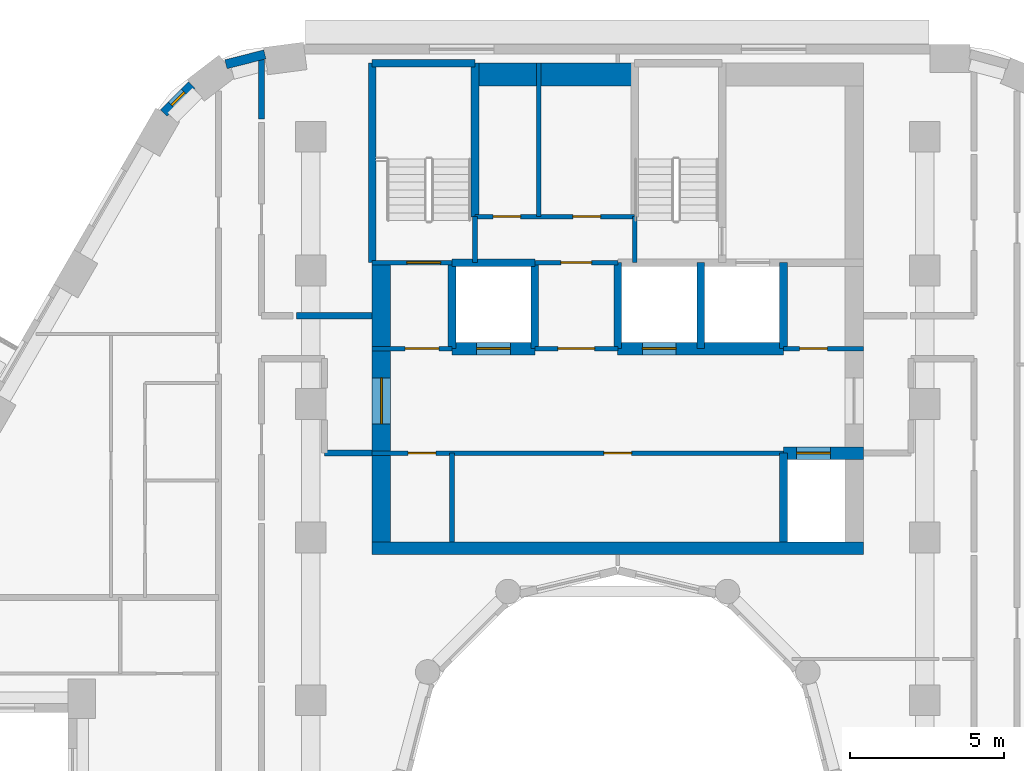
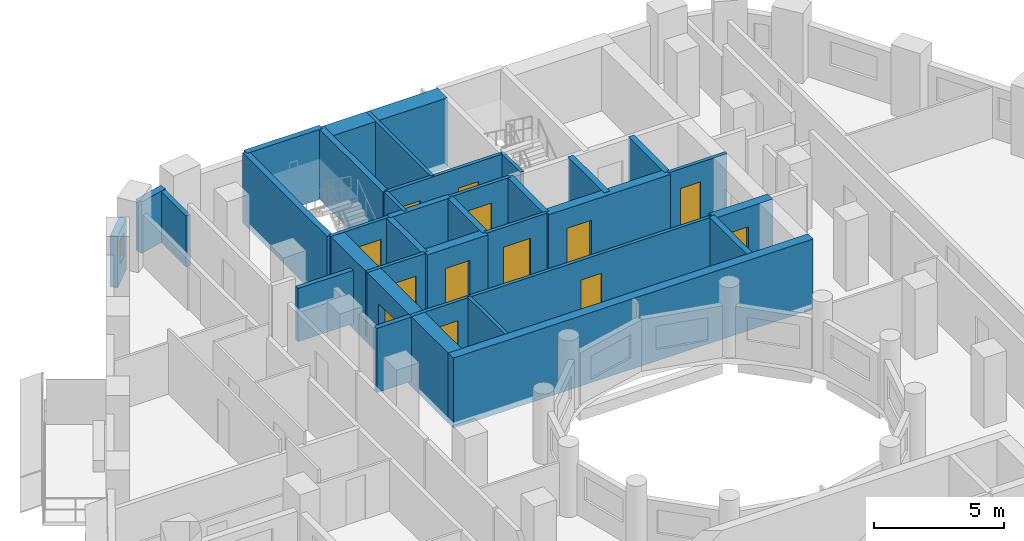
# One storey, part 7 of 13: 32 walls, 13 doors, 1 window, 14 openings.
"""IFC4 building model written with IfcOpenShell, lengths in metres."""

import ifcopenshell
import ifcopenshell.guid

model = None  # the IFC model being written
_history = None  # IfcOwnerHistory: only IFC2X3 demands one
_inside = {}  # id of a spatial element -> (the spatial element, [elements in it])
_under = {}  # id of a project, library or spatial element -> (it, [spatial elements below it])
_declared = {}  # id of a project -> (the project, [libraries it declares])
_typed = {}  # id of a type object -> (the type object, [elements of that type])
_made_of = {}  # id of a material, layer set ... -> (it, [elements and type objects made of it])


def new_model(schema):
    """Start an empty IFC model of exactly this schema.

    Asked for "IFC4X3", IfcOpenShell would pick the latest addendum, in which some entities
    have other attributes; the version numbers below select the first issue.
    IFC2X3 requires an IfcOwnerHistory on every rooted entity: one is made here for all.
    """
    global model, _history
    if schema == "IFC4X3":
        model = ifcopenshell.file(schema_version=(4, 3, 0, 0))
    else:
        model = ifcopenshell.file(schema=schema)
    _inside.clear()
    _under.clear()
    _declared.clear()
    _typed.clear()
    _made_of.clear()
    _history = None
    if model.schema == "IFC2X3":
        org = make("IfcOrganization", Name="unknown")
        user = make(
            "IfcPersonAndOrganization",
            ThePerson=make("IfcPerson", FamilyName="unknown"),
            TheOrganization=org,
        )
        app = make(
            "IfcApplication",
            ApplicationDeveloper=org,
            Version="unknown",
            ApplicationFullName="unknown",
            ApplicationIdentifier="unknown",
        )
        _history = make(
            "IfcOwnerHistory",
            OwningUser=user,
            OwningApplication=app,
            ChangeAction="ADDED",
            CreationDate=0,
        )
    return model


def make(cls, **values):
    """One entity of the class cls with the attributes given. An attribute that is None is left unset."""
    return model.create_entity(
        cls, **{name: value for name, value in values.items() if value is not None}
    )


def rooted(cls, **values):
    """An entity with a GlobalId (a new one), such as an element, a storey or a relation."""
    return make(cls, GlobalId=ifcopenshell.guid.new(), OwnerHistory=_history, **values)


def si_unit(unit_type, name, prefix=None):
    """IfcSIUnit, for example si_unit("LENGTHUNIT", "METRE", prefix="MILLI")."""
    return make("IfcSIUnit", UnitType=unit_type, Prefix=prefix, Name=name)


def assignment(units):
    """IfcUnitAssignment: the units of a project."""
    return None if units is None else make("IfcUnitAssignment", Units=units)


def point(xyz):
    """IfcCartesianPoint."""
    return None if xyz is None else make("IfcCartesianPoint", Coordinates=xyz)


def direction(xyz):
    """IfcDirection."""
    return None if xyz is None else make("IfcDirection", DirectionRatios=xyz)


def frame(location, z_axis=None, x_axis=None):
    """IfcAxis2Placement3D, a coordinate frame: its origin and axes. An axis left out is left unset."""
    return make(
        "IfcAxis2Placement3D",
        Location=point(location),
        Axis=direction(z_axis),
        RefDirection=direction(x_axis),
    )


def frame_2d(location, x_axis=None):
    """IfcAxis2Placement2D, a coordinate frame in the plane: its origin and x axis."""
    return make(
        "IfcAxis2Placement2D", Location=point(location), RefDirection=direction(x_axis)
    )


def origin():
    """The frame at (0, 0, 0) with its axes left unset."""
    return frame((0.0, 0.0, 0.0))


def place(relative_to, where):
    """IfcLocalPlacement: puts the frame where relative to a parent placement (None: the world)."""
    return make(
        "IfcLocalPlacement", PlacementRelTo=relative_to, RelativePlacement=where
    )


def context(
    kind, dimensions, precision=None, world=None, true_north=None, identifier=None
):
    """IfcGeometricRepresentationContext, for example the 3D "Model" context."""
    return make(
        "IfcGeometricRepresentationContext",
        ContextIdentifier=identifier,
        ContextType=kind,
        CoordinateSpaceDimension=dimensions,
        Precision=precision,
        WorldCoordinateSystem=world,
        TrueNorth=true_north,
    )


def subcontext(parent, identifier, kind, view, scale=None):
    """IfcGeometricRepresentationSubContext, for example "Body" below "Model"."""
    return make(
        "IfcGeometricRepresentationSubContext",
        ContextIdentifier=identifier,
        ContextType=kind,
        ParentContext=parent,
        TargetScale=scale,
        TargetView=view,
    )


def project(units=None, contexts=None):
    """IfcProject with its units and contexts."""
    return rooted(
        "IfcProject",
        Name="project",
        RepresentationContexts=contexts,
        UnitsInContext=assignment(units),
    )


def spatial(cls, under=None, at=None, **own):
    """A site, building, storey or space (cls), placed at a placement, below another one or the project."""
    s = rooted(cls, ObjectPlacement=at, **own)
    if under is not None:
        _under.setdefault(under.id(), (under, []))[1].append(s)
    return s


def profile(cls, at=None, kind="AREA", **sizes):
    """A parametric profile (cls). Its sizes go by their IFC names, for example OverallWidth=200.0."""
    return make(cls, ProfileType=kind, Position=at, **sizes)


def rectangle(**sizes):
    """IfcRectangleProfileDef."""
    return profile("IfcRectangleProfileDef", **sizes)


def extrude(swept, where, along, depth):
    """IfcExtrudedAreaSolid: the profile swept, set in the frame where, extruded along a direction by depth."""
    return make(
        "IfcExtrudedAreaSolid",
        SweptArea=swept,
        Position=where,
        ExtrudedDirection=direction(along),
        Depth=depth,
    )


def shape(context_of_items, identifier, shape_type, items):
    """IfcShapeRepresentation: the items that make up one representation, for example the "Body"."""
    return make(
        "IfcShapeRepresentation",
        ContextOfItems=context_of_items,
        RepresentationIdentifier=identifier,
        RepresentationType=shape_type,
        Items=items,
    )


def material(Name=None, Category=None):
    """IfcMaterial."""
    return make("IfcMaterial", Name=Name, Category=Category)


def layer(
    of_material, thickness, ventilated=None, Name=None, Category=None, Priority=None
):
    """IfcMaterialLayer: one layer of a wall or slab, of a material (None: an air gap)."""
    return make(
        "IfcMaterialLayer",
        Material=of_material,
        LayerThickness=thickness,
        IsVentilated=ventilated,
        Name=Name,
        Category=Category,
        Priority=Priority,
    )


def layer_set(layers, Name=None):
    """IfcMaterialLayerSet."""
    return make("IfcMaterialLayerSet", MaterialLayers=layers, LayerSetName=Name)


def made_of(thing, what):
    """Note that an element or type object is made of a material, layer set ...; save() writes the relation."""
    if what is not None:
        _made_of.setdefault(what.id(), (what, []))[1].append(thing)
    return thing


def type_object(cls, material=None, **own):
    """A type object (cls), such as IfcWallType, which elements share."""
    return made_of(rooted(cls, **own), material)


def element(
    cls,
    number,
    at=None,
    inside=None,
    cuts=None,
    type_object=None,
    material=None,
    context=None,
    identifier="Body",
    shape_type=None,
    held_by="IfcProductDefinitionShape",
    body=None,
    shapes=None,
    **own,
):
    """One element of the class cls, such as IfcWall. Its Tag is "e" and its number.

    at: its placement. inside: the storey or other place that contains it. cuts: it is an
    opening in that element (IfcRelVoidsElement). A single representation is given by context,
    identifier, shape_type and body (its items); several are given by shapes. held_by: the class
    of the entity that holds the representations. save() writes the other relations.
    """
    e = rooted(cls, Tag="e%d" % number, ObjectPlacement=at, **own)
    if body is not None:
        shapes = [shape(context, identifier, shape_type, body)]
    if shapes is not None:
        e.Representation = make(held_by, Representations=shapes)
    if inside is not None:
        _inside.setdefault(inside.id(), (inside, []))[1].append(e)
    if cuts is not None:
        rooted(
            "IfcRelVoidsElement", RelatingBuildingElement=cuts, RelatedOpeningElement=e
        )
    if type_object is not None:
        _typed.setdefault(type_object.id(), (type_object, []))[1].append(e)
    return made_of(e, material)


def fill(opening, filler):
    """IfcRelFillsElement: the door or window that sits in an opening."""
    return rooted(
        "IfcRelFillsElement",
        RelatingOpeningElement=opening,
        RelatedBuildingElement=filler,
    )


def aggregate(whole, parts):
    """IfcRelAggregates: a whole, such as a stair, and the parts it consists of."""
    return rooted("IfcRelAggregates", RelatingObject=whole, RelatedObjects=parts)


def save(model, path):
    """Write the relations noted so far, then the file.

    IfcRelAggregates (storeys below a building ...), IfcRelContainedInSpatialStructure (elements
    in a storey), IfcRelDefinesByType, IfcRelAssociatesMaterial and IfcRelDeclares: one each for
    every whole, place, type object, material and project.
    """
    for whole, parts in _under.values():
        aggregate(whole, parts)
    for where, things in _inside.values():
        rooted(
            "IfcRelContainedInSpatialStructure",
            RelatedElements=things,
            RelatingStructure=where,
        )
    for kind, things in _typed.values():
        rooted("IfcRelDefinesByType", RelatedObjects=things, RelatingType=kind)
    for what, things in _made_of.values():
        rooted("IfcRelAssociatesMaterial", RelatedObjects=things, RelatingMaterial=what)
    for by, libraries in _declared.values():
        rooted("IfcRelDeclares", RelatingContext=by, RelatedDefinitions=libraries)
    model.write(path)


model = new_model("IFC4")

# Units and contexts
model_context = context("Model", 3, precision=1e-05, world=origin(), true_north=direction((0.0, 1.0)))
body_context = subcontext(model_context, "Body", "Model", "MODEL_VIEW")
ifc_project = project(units=[si_unit("LENGTHUNIT", "METRE"), si_unit("AREAUNIT", "SQUARE_METRE"), si_unit("VOLUMEUNIT", "CUBIC_METRE"), si_unit("PLANEANGLEUNIT", "RADIAN"), si_unit("MASSUNIT", "GRAM", prefix="KILO")], contexts=[model_context])

# Site, building, storey
site_placement = place(None, origin())
site = spatial("IfcSite", under=ifc_project, at=site_placement, CompositionType="ELEMENT")
building_placement = place(site_placement, origin())
building = spatial("IfcBuilding", under=site, at=building_placement, Name="Nakaniwa Court", CompositionType="ELEMENT")
storey_placement = place(building_placement, frame((0.0, 0.0, 130.5)))
storey = spatial("IfcBuildingStorey", under=building, at=storey_placement, Name="L33", CompositionType="ELEMENT", Elevation=130.5)

# Walls
ifc_material_1 = material(Name="Acoustic double stud partition")
ifc_layer_1 = layer(ifc_material_1, 0.199951171875)
ifc_layer_set_1 = layer_set([ifc_layer_1], Name="Acoustic double stud partition")
wall_type_1 = type_object("IfcWallType", Name="Acoustic double stud partition 200", PredefinedType="PARTITIONING", material=ifc_layer_set_1)
wall_1_placement = place(storey_placement, frame((70.449951171875, 90.699951171875, 0.0), z_axis=(0.0, 0.0, 1.0), x_axis=(1.0, 0.0, 0.0)))
element("IfcWall", 1, at=wall_1_placement, inside=storey, type_object=wall_type_1, Name="Partition PW-088", PredefinedType="PARTITIONING", context=body_context, shape_type="SweptSolid", body=[
    extrude(rectangle(XDim=1.550048828125, YDim=0.199951171875, at=frame_2d((0.77490234375, 0.0))), origin(), (0.0, 0.0, 1.0), 3.02490234375),
])
wall_2_placement = place(storey_placement, frame((69.537109375, 95.175048828125, 0.0), z_axis=(0.0, 0.0, 1.0), x_axis=(1.0, 0.0, 0.0)))
element("IfcWall", 2, at=wall_2_placement, inside=storey, type_object=wall_type_1, Name="Partition PW-091", PredefinedType="PARTITIONING", context=body_context, shape_type="SweptSolid", body=[
    extrude(rectangle(XDim=2.462890625, YDim=0.199951171875, at=frame_2d((1.2314453125, 0.0))), origin(), (0.0, 0.0, 1.0), 2.5048828125),
])
wall_3_placement = place(storey_placement, frame((68.39990234375, 101.5771484375, 0.0), z_axis=(0.0, 0.0, 1.0), x_axis=(0.0, 1.0, 0.0)))
element("IfcWall", 3, at=wall_3_placement, inside=storey, type_object=wall_type_1, Name="Partition PW-102", PredefinedType="PARTITIONING", context=body_context, shape_type="SweptSolid", body=[
    extrude(rectangle(XDim=2.02197265625, YDim=0.199951171875, at=frame_2d((1.010986328125, 0.0))), origin(), (0.0, 0.0, 1.0), 2.405029296875),
])
ifc_material_2 = material(Name="Charcoal ceramic cladding")
ifc_layer_2 = layer(ifc_material_2, 0.02, Name="Ceramic cladding")
ifc_material_3 = material(Name="Ventilated air cavity")
ifc_layer_3 = layer(ifc_material_3, 0.04, ventilated=True, Name="Ventilated cavity")
ifc_material_4 = material(Name="Mineral wool insulation")
ifc_layer_4 = layer(ifc_material_4, 0.1, Name="Insulation")
ifc_material_5 = material(Name="Cement bonded sheathing board")
ifc_layer_5 = layer(ifc_material_5, 0.012, Name="Sheathing")
ifc_material_6 = material(Name="Cold-formed galvanised stud frame with mineral wool infill")
ifc_layer_6 = layer(ifc_material_6, 0.1, Name="Stud frame")
ifc_material_7 = material(Name="Fire-rated gypsum plasterboard lining")
ifc_layer_7 = layer(ifc_material_7, 0.028, Name="Lining")
ifc_layer_set_2 = layer_set([ifc_layer_2, ifc_layer_3, ifc_layer_4, ifc_layer_5, ifc_layer_6, ifc_layer_7], Name="Charcoal ceramic faced external wall system")
wall_type_2 = type_object("IfcWallType", Name="Black ceramic faced external wall 300", PredefinedType="SOLIDWALL", material=ifc_layer_set_2)
wall_4_placement = place(storey_placement, frame((68.506103515625, 103.68310546875, 0.0), z_axis=(0.0, 0.0, 1.0), x_axis=(-0.96924493129, -0.246098076322, 0.0)))
element("IfcWall", 4, at=wall_4_placement, inside=storey, type_object=wall_type_2, Name="L33 external wall 09", PredefinedType="SOLIDWALL", context=body_context, shape_type="SweptSolid", body=[
    extrude(rectangle(XDim=1.305419921875, YDim=0.300048828125, at=frame_2d((0.65283203125, 0.0))), origin(), (0.0, 0.0, 1.0), 2.425048828125),
])

# Wall, opening, window
wall_5_placement = place(storey_placement, frame((66.12890625, 102.68798828125, 0.0), z_axis=(0.0, 0.0, 1.0), x_axis=(-0.70881270082, -0.705396735997, 0.0)))
wall_5 = element("IfcWall", 5, at=wall_5_placement, inside=storey, type_object=wall_type_2, Name="L33 external wall 10", PredefinedType="SOLIDWALL", context=body_context, shape_type="SweptSolid", body=[
    extrude(rectangle(XDim=1.286376953125, YDim=0.300048828125, at=frame_2d((0.64306640625, 0.0))), origin(), (0.0, 0.0, 1.0), 2.425048828125),
])
opening_1_placement = place(wall_5_placement, frame((0.3330078125, 0.0, 0.89990234375)))
opening_1 = element("IfcOpeningElement", 6, at=opening_1_placement, cuts=wall_5, Name="Opening W8.11", PredefinedType="OPENING", context=body_context, shape_type="SweptSolid", body=[
    extrude(rectangle(XDim=0.60009765625, YDim=1.10009765625, at=frame_2d((0.300048828125, 0.550048828125))), frame((0.0, 0.159912109375, 0.0), z_axis=(0.0, -1.0, 0.0), x_axis=(1.0, 0.0, 0.0)), (0.0, 0.0, 1.0), 0.320068359375),
])
ifc_material_8 = material(Name="Black anodised aluminium frame with dark low-E laminated double glazing", Category="aluminium")
window_type = type_object("IfcWindowType", Name="Dark glass window 600x1100 sill 900", PartitioningType="SINGLE_PANEL", PredefinedType="WINDOW", material=ifc_material_8)
window_placement = place(opening_1_placement, origin())
window = element("IfcWindow", 7, at=window_placement, inside=storey, type_object=window_type, Name="L33 habitable room window 10-0", OverallHeight=1.10009765625, OverallWidth=0.60009765625, PartitioningType="SINGLE_PANEL", PredefinedType="WINDOW", context=body_context, shape_type="SweptSolid", body=[
    extrude(rectangle(XDim=0.60009765625, YDim=1.10009765625, at=frame_2d((0.300048828125, 0.550048828125))), frame((0.0, 0.030029296875, 0.0), z_axis=(0.0, -1.0, 0.0), x_axis=(1.0, 0.0, 0.0)), (0.0, 0.0, 1.0), 0.06005859375),
])
fill(opening_1, window)

# Wall
ifc_material_9 = material(Name="Blockwork partition", Category="masonry")
ifc_layer_8 = layer(ifc_material_9, 0.14990234375)
ifc_layer_set_3 = layer_set([ifc_layer_8], Name="Blockwork partition")
wall_type_3 = type_object("IfcWallType", Name="Blockwork partition 150", PredefinedType="PARTITIONING", material=ifc_layer_set_3)
wall_6_placement = place(storey_placement, frame((74.60009765625, 87.800048828125, 0.0), z_axis=(0.0, 0.0, 1.0), x_axis=(0.0, 1.0, 0.0)))
element("IfcWall", 8, at=wall_6_placement, inside=storey, type_object=wall_type_3, Name="Partition PW-001", PredefinedType="PARTITIONING", context=body_context, shape_type="SweptSolid", body=[
    extrude(rectangle(XDim=2.89990234375, YDim=0.14990234375, at=frame_2d((1.449951171875, 0.0))), origin(), (0.0, 0.0, 1.0), 3.02490234375),
])

# Wall, openings, doors
wall_7_placement = place(storey_placement, frame((85.39990234375, 90.699951171875, 0.0), z_axis=(0.0, 0.0, 1.0), x_axis=(-1.0, 0.0, 0.0)))
wall_7 = element("IfcWall", 9, at=wall_7_placement, inside=storey, type_object=wall_type_3, Name="Partition PW-002", PredefinedType="PARTITIONING", context=body_context, shape_type="SweptSolid", body=[
    extrude(rectangle(XDim=13.39990234375, YDim=0.14990234375, at=frame_2d((6.699951171875, 0.0))), origin(), (0.0, 0.0, 1.0), 3.02490234375),
])
opening_2_placement = place(wall_7_placement, frame((11.324951171875, 0.0, 0.0)))
opening_2 = element("IfcOpeningElement", 10, at=opening_2_placement, cuts=wall_7, Name="Opening D-05-01", PredefinedType="OPENING", context=body_context, shape_type="SweptSolid", body=[
    extrude(rectangle(XDim=0.89990234375, YDim=2.10009765625, at=frame_2d((0.449951171875, 1.050048828125))), frame((0.0, 0.0849609375, 0.0), z_axis=(0.0, -1.0, 0.0), x_axis=(1.0, 0.0, 0.0)), (0.0, 0.0, 1.0), 0.169921875),
])
opening_3_placement = place(wall_7_placement, frame((4.949951171875, 0.0, 0.0)))
opening_3 = element("IfcOpeningElement", 11, at=opening_3_placement, cuts=wall_7, Name="Opening D-05-02", PredefinedType="OPENING", context=body_context, shape_type="SweptSolid", body=[
    extrude(rectangle(XDim=0.89990234375, YDim=2.10009765625, at=frame_2d((0.449951171875, 1.050048828125))), frame((0.0, 0.0849609375, 0.0), z_axis=(0.0, -1.0, 0.0), x_axis=(1.0, 0.0, 0.0)), (0.0, 0.0, 1.0), 0.169921875),
])
ifc_material_10 = material(Name="Fire rated steel door set", Category="steel")
door_type_1 = type_object("IfcDoorType", Name="Service room door 900", OperationType="NOTDEFINED", PredefinedType="DOOR", material=ifc_material_10)
door_1_placement = place(opening_2_placement, origin())
door_1 = element("IfcDoor", 12, at=door_1_placement, inside=storey, type_object=door_type_1, Name="Door D-05-01 L33-001", OperationType="SINGLE_SWING_RIGHT", OverallHeight=2.10009765625, OverallWidth=0.89990234375, PredefinedType="DOOR", context=body_context, shape_type="SweptSolid", body=[
    extrude(rectangle(XDim=0.89990234375, YDim=2.10009765625, at=frame_2d((0.449951171875, 1.050048828125))), frame((0.0, 0.02490234375, 0.0), z_axis=(0.0, -1.0, 0.0), x_axis=(1.0, 0.0, 0.0)), (0.0, 0.0, 1.0), 0.050048828125),
])
fill(opening_2, door_1)
door_2_placement = place(opening_3_placement, origin())
door_2 = element("IfcDoor", 13, at=door_2_placement, inside=storey, type_object=door_type_1, Name="Door D-05-02 L33-002", OperationType="SINGLE_SWING_LEFT", OverallHeight=2.10009765625, OverallWidth=0.89990234375, PredefinedType="DOOR", context=body_context, shape_type="SweptSolid", body=[
    extrude(rectangle(XDim=0.89990234375, YDim=2.10009765625, at=frame_2d((0.449951171875, 1.050048828125))), frame((0.0, 0.02490234375, 0.0), z_axis=(0.0, -1.0, 0.0), x_axis=(1.0, 0.0, 0.0)), (0.0, 0.0, 1.0), 0.050048828125),
])
fill(opening_3, door_2)

# Wall, opening, door
wall_8_placement = place(storey_placement, frame((72.0, 94.10009765625, 0.0), z_axis=(0.0, 0.0, 1.0), x_axis=(1.0, 0.0, 0.0)))
wall_8 = element("IfcWall", 14, at=wall_8_placement, inside=storey, type_object=wall_type_3, Name="Partition PW-008", PredefinedType="PARTITIONING", context=body_context, shape_type="SweptSolid", body=[
    extrude(rectangle(XDim=2.60302734375, YDim=0.14990234375, at=frame_2d((1.301513671875, 0.0))), origin(), (0.0, 0.0, 1.0), 3.02490234375),
])
opening_4_placement = place(wall_8_placement, frame((1.074951171875, 0.0, 0.0)))
opening_4 = element("IfcOpeningElement", 15, at=opening_4_placement, cuts=wall_8, Name="Opening D-08-01", PredefinedType="OPENING", context=body_context, shape_type="SweptSolid", body=[
    extrude(rectangle(XDim=1.10009765625, YDim=2.10009765625, at=frame_2d((0.550048828125, 1.050048828125))), frame((0.0, 0.0849609375, 0.0), z_axis=(0.0, -1.0, 0.0), x_axis=(1.0, 0.0, 0.0)), (0.0, 0.0, 1.0), 0.169921875),
])
door_type_2 = type_object("IfcDoorType", Name="Stair lobby door 1100", OperationType="NOTDEFINED", PredefinedType="DOOR", material=ifc_material_10)
door_3_placement = place(opening_4_placement, origin())
door_3 = element("IfcDoor", 16, at=door_3_placement, inside=storey, type_object=door_type_2, Name="Door D-08-01 L33-003", OperationType="SINGLE_SWING_RIGHT", OverallHeight=2.10009765625, OverallWidth=1.10009765625, PredefinedType="DOOR", context=body_context, shape_type="SweptSolid", body=[
    extrude(rectangle(XDim=1.10009765625, YDim=2.10009765625, at=frame_2d((0.550048828125, 1.050048828125))), frame((0.0, 0.02490234375, 0.0), z_axis=(0.0, -1.0, 0.0), x_axis=(1.0, 0.0, 0.0)), (0.0, 0.0, 1.0), 0.050048828125),
])
fill(opening_4, door_3)

wall_9_placement = place(storey_placement, frame((77.297119140625, 94.10009765625, 0.0), z_axis=(0.0, 0.0, 1.0), x_axis=(1.0, 0.0, 0.0)))
wall_9 = element("IfcWall", 17, at=wall_9_placement, inside=storey, type_object=wall_type_3, Name="Partition PW-009", PredefinedType="PARTITIONING", context=body_context, shape_type="SweptSolid", body=[
    extrude(rectangle(XDim=2.705810546875, YDim=0.14990234375, at=frame_2d((1.35302734375, 0.0))), origin(), (0.0, 0.0, 1.0), 3.02490234375),
])
opening_5_placement = place(wall_9_placement, frame((0.7529296875, 0.0, 0.0)))
opening_5 = element("IfcOpeningElement", 18, at=opening_5_placement, cuts=wall_9, Name="Opening D-06-01", PredefinedType="OPENING", context=body_context, shape_type="SweptSolid", body=[
    extrude(rectangle(XDim=1.199951171875, YDim=2.10009765625, at=frame_2d((0.60009765625, 1.050048828125))), frame((0.0, 0.0849609375, 0.0), z_axis=(0.0, -1.0, 0.0), x_axis=(1.0, 0.0, 0.0)), (0.0, 0.0, 1.0), 0.169921875),
])
ifc_material_11 = material(Name="Fire rated steel double door set", Category="steel")
door_type_3 = type_object("IfcDoorType", Name="Service passage double door 1200", OperationType="NOTDEFINED", PredefinedType="DOOR", material=ifc_material_11)
door_4_placement = place(opening_5_placement, origin())
door_4 = element("IfcDoor", 19, at=door_4_placement, inside=storey, type_object=door_type_3, Name="Door D-06-01 L33-004", OperationType="DOUBLE_DOOR_SINGLE_SWING", OverallHeight=2.10009765625, OverallWidth=1.199951171875, PredefinedType="DOOR", context=body_context, shape_type="SweptSolid", body=[
    extrude(rectangle(XDim=1.199951171875, YDim=2.10009765625, at=frame_2d((0.60009765625, 1.050048828125))), frame((0.0, 0.02490234375, 0.0), z_axis=(0.0, -1.0, 0.0), x_axis=(1.0, 0.0, 0.0)), (0.0, 0.0, 1.0), 0.050048828125),
])
fill(opening_5, door_4)

wall_10_placement = place(storey_placement, frame((85.39697265625, 94.10009765625, 0.0), z_axis=(0.0, 0.0, 1.0), x_axis=(1.0, 0.0, 0.0)))
wall_10 = element("IfcWall", 20, at=wall_10_placement, inside=storey, type_object=wall_type_3, Name="Partition PW-010", PredefinedType="PARTITIONING", context=body_context, shape_type="SweptSolid", body=[
    extrude(rectangle(XDim=2.60302734375, YDim=0.14990234375, at=frame_2d((1.301513671875, 0.0))), origin(), (0.0, 0.0, 1.0), 3.02490234375),
])
opening_6_placement = place(wall_10_placement, frame((0.528076171875, 0.0, 0.0)))
opening_6 = element("IfcOpeningElement", 21, at=opening_6_placement, cuts=wall_10, Name="Opening D-05-03", PredefinedType="OPENING", context=body_context, shape_type="SweptSolid", body=[
    extrude(rectangle(XDim=0.89990234375, YDim=2.10009765625, at=frame_2d((0.449951171875, 1.050048828125))), frame((0.0, 0.0849609375, 0.0), z_axis=(0.0, -1.0, 0.0), x_axis=(1.0, 0.0, 0.0)), (0.0, 0.0, 1.0), 0.169921875),
])
door_5_placement = place(opening_6_placement, origin())
door_5 = element("IfcDoor", 22, at=door_5_placement, inside=storey, type_object=door_type_1, Name="Door D-05-03 L33-005", OperationType="SINGLE_SWING_RIGHT", OverallHeight=2.10009765625, OverallWidth=0.89990234375, PredefinedType="DOOR", context=body_context, shape_type="SweptSolid", body=[
    extrude(rectangle(XDim=0.89990234375, YDim=2.10009765625, at=frame_2d((0.449951171875, 1.050048828125))), frame((0.0, 0.02490234375, 0.0), z_axis=(0.0, -1.0, 0.0), x_axis=(1.0, 0.0, 0.0)), (0.0, 0.0, 1.0), 0.050048828125),
])
fill(opening_6, door_5)

wall_11_placement = place(storey_placement, frame((77.300048828125, 96.89990234375, 0.0), z_axis=(0.0, 0.0, 1.0), x_axis=(1.0, 0.0, 0.0)))
wall_11 = element("IfcWall", 23, at=wall_11_placement, inside=storey, type_object=wall_type_3, Name="Partition PW-019", PredefinedType="PARTITIONING", context=body_context, shape_type="SweptSolid", body=[
    extrude(rectangle(XDim=2.699951171875, YDim=0.14990234375, at=frame_2d((1.35009765625, 0.0))), origin(), (0.0, 0.0, 1.0), 3.02490234375),
])
opening_7_placement = place(wall_11_placement, frame((0.85009765625, 0.0, 0.0)))
opening_7 = element("IfcOpeningElement", 24, at=opening_7_placement, cuts=wall_11, Name="Opening D-23-01", PredefinedType="OPENING", context=body_context, shape_type="SweptSolid", body=[
    extrude(rectangle(XDim=1.0, YDim=2.10009765625, at=frame_2d((0.5, 1.050048828125))), frame((0.0, 0.0849609375, 0.0), z_axis=(0.0, -1.0, 0.0), x_axis=(1.0, 0.0, 0.0)), (0.0, 0.0, 1.0), 0.169921875),
])
door_type_4 = type_object("IfcDoorType", Name="Service room door 1000", OperationType="NOTDEFINED", PredefinedType="DOOR", material=ifc_material_10)
door_6_placement = place(opening_7_placement, origin())
door_6 = element("IfcDoor", 25, at=door_6_placement, inside=storey, type_object=door_type_4, Name="Door D-23-01 L33-006", OperationType="SINGLE_SWING_LEFT", OverallHeight=2.10009765625, OverallWidth=1.0, PredefinedType="DOOR", context=body_context, shape_type="SweptSolid", body=[
    extrude(rectangle(XDim=1.0, YDim=2.10009765625, at=frame_2d((0.5, 1.050048828125))), frame((0.0, 0.02490234375, 0.0), z_axis=(0.0, -1.0, 0.0), x_axis=(1.0, 0.0, 0.0)), (0.0, 0.0, 1.0), 0.050048828125),
])
fill(opening_7, door_6)

# Wall, openings, doors
wall_12_placement = place(storey_placement, frame((75.35009765625, 98.39990234375, 0.0), z_axis=(0.0, 0.0, 1.0), x_axis=(1.0, 0.0, 0.0)))
wall_12 = element("IfcWall", 26, at=wall_12_placement, inside=storey, type_object=wall_type_3, Name="Partition PW-031", PredefinedType="PARTITIONING", context=body_context, shape_type="SweptSolid", body=[
    extrude(rectangle(XDim=5.199951171875, YDim=0.14990234375, at=frame_2d((2.60009765625, 0.0))), origin(), (0.0, 0.0, 1.0), 3.02490234375),
])
opening_8_placement = place(wall_12_placement, frame((0.590087890625, 0.0, 0.0)))
opening_8 = element("IfcOpeningElement", 27, at=opening_8_placement, cuts=wall_12, Name="Opening D-05-04", PredefinedType="OPENING", context=body_context, shape_type="SweptSolid", body=[
    extrude(rectangle(XDim=0.89990234375, YDim=2.10009765625, at=frame_2d((0.449951171875, 1.050048828125))), frame((0.0, 0.0849609375, 0.0), z_axis=(0.0, -1.0, 0.0), x_axis=(1.0, 0.0, 0.0)), (0.0, 0.0, 1.0), 0.169921875),
])
opening_9_placement = place(wall_12_placement, frame((3.18994140625, 0.0, 0.0)))
opening_9 = element("IfcOpeningElement", 28, at=opening_9_placement, cuts=wall_12, Name="Opening D-05-05", PredefinedType="OPENING", context=body_context, shape_type="SweptSolid", body=[
    extrude(rectangle(XDim=0.89990234375, YDim=2.10009765625, at=frame_2d((0.449951171875, 1.050048828125))), frame((0.0, 0.0849609375, 0.0), z_axis=(0.0, -1.0, 0.0), x_axis=(1.0, 0.0, 0.0)), (0.0, 0.0, 1.0), 0.169921875),
])
door_7_placement = place(opening_8_placement, origin())
door_7 = element("IfcDoor", 29, at=door_7_placement, inside=storey, type_object=door_type_1, Name="Door D-05-04 L33-007", OperationType="SINGLE_SWING_RIGHT", OverallHeight=2.10009765625, OverallWidth=0.89990234375, PredefinedType="DOOR", context=body_context, shape_type="SweptSolid", body=[
    extrude(rectangle(XDim=0.89990234375, YDim=2.10009765625, at=frame_2d((0.449951171875, 1.050048828125))), frame((0.0, 0.02490234375, 0.0), z_axis=(0.0, -1.0, 0.0), x_axis=(1.0, 0.0, 0.0)), (0.0, 0.0, 1.0), 0.050048828125),
])
fill(opening_8, door_7)
door_8_placement = place(opening_9_placement, origin())
door_8 = element("IfcDoor", 30, at=door_8_placement, inside=storey, type_object=door_type_1, Name="Door D-05-05 L33-008", OperationType="SINGLE_SWING_LEFT", OverallHeight=2.10009765625, OverallWidth=0.89990234375, PredefinedType="DOOR", context=body_context, shape_type="SweptSolid", body=[
    extrude(rectangle(XDim=0.89990234375, YDim=2.10009765625, at=frame_2d((0.449951171875, 1.050048828125))), frame((0.0, 0.02490234375, 0.0), z_axis=(0.0, -1.0, 0.0), x_axis=(1.0, 0.0, 0.0)), (0.0, 0.0, 1.0), 0.050048828125),
])
fill(opening_9, door_8)

# Wall
wall_13_placement = place(storey_placement, frame((77.429931640625, 98.39990234375, 0.0), z_axis=(0.0, 0.0, 1.0), x_axis=(0.0, 1.0, 0.0)))
element("IfcWall", 31, at=wall_13_placement, inside=storey, type_object=wall_type_3, Name="Partition PW-032", PredefinedType="PARTITIONING", context=body_context, shape_type="SweptSolid", body=[
    extrude(rectangle(XDim=5.0, YDim=0.14990234375, at=frame_2d((2.5, 0.0))), origin(), (0.0, 0.0, 1.0), 3.02490234375),
])

# Wall, opening, door
ifc_material_12 = material(Name="Concrete C80/100", Category="concrete")
ifc_layer_9 = layer(ifc_material_12, 0.60009765625)
ifc_layer_set_4 = layer_set([ifc_layer_9], Name="Concrete C80/100")
wall_type_4 = type_object("IfcWallType", Name="Concrete core side wall 600 C80", PredefinedType="SHEAR", material=ifc_layer_set_4)
wall_14_placement = place(storey_placement, frame((72.300048828125, 87.800048828125, -0.27490234375), z_axis=(0.0, 0.0, 1.0), x_axis=(0.0, 1.0, 0.0)))
wall_14 = element("IfcWall", 32, at=wall_14_placement, inside=storey, type_object=wall_type_4, Name="Core wall SW-03", PredefinedType="SHEAR", context=body_context, shape_type="SweptSolid", body=[
    extrude(rectangle(XDim=9.099853515625, YDim=0.60009765625, at=frame_2d((4.5498046875, 0.0))), origin(), (0.0, 0.0, 1.0), 3.2998046875),
])
opening_10_placement = place(wall_14_placement, frame((3.85205078125, 0.0, 0.27490234375)))
opening_10 = element("IfcOpeningElement", 33, at=opening_10_placement, cuts=wall_14, Name="Opening D-07-02", PredefinedType="OPENING", context=body_context, shape_type="SweptSolid", body=[
    extrude(rectangle(XDim=1.5, YDim=2.10009765625, at=frame_2d((0.75, 1.050048828125))), frame((0.0, 0.31005859375, 0.0), z_axis=(0.0, -1.0, 0.0), x_axis=(1.0, 0.0, 0.0)), (0.0, 0.0, 1.0), 0.6201171875),
])
ifc_material_13 = material(Name="Glazed fire rated steel double door set", Category="steel")
door_type_5 = type_object("IfcDoorType", Name="Lobby double door 1500", OperationType="NOTDEFINED", PredefinedType="DOOR", material=ifc_material_13)
door_9_placement = place(opening_10_placement, origin())
door_9 = element("IfcDoor", 34, at=door_9_placement, inside=storey, type_object=door_type_5, Name="Door D-07-02 L33-044", OperationType="DOUBLE_DOOR_SINGLE_SWING", OverallHeight=2.10009765625, OverallWidth=1.5, PredefinedType="DOOR", context=body_context, shape_type="SweptSolid", body=[
    extrude(rectangle(XDim=1.5, YDim=2.10009765625, at=frame_2d((0.75, 1.050048828125))), frame((0.0, 0.02490234375, 0.0), z_axis=(0.0, -1.0, 0.0), x_axis=(1.0, 0.0, 0.0)), (0.0, 0.0, 1.0), 0.050048828125),
])
fill(opening_10, door_9)

ifc_layer_10 = layer(ifc_material_12, 0.39990234375)
ifc_layer_set_5 = layer_set([ifc_layer_10], Name="Concrete C80/100")
wall_type_5 = type_object("IfcWallType", Name="Concrete core spine wall 400 C80", PredefinedType="SHEAR", material=ifc_layer_set_5)
wall_15_placement = place(storey_placement, frame((85.39990234375, 90.699951171875, -0.27490234375), z_axis=(0.0, 0.0, 1.0), x_axis=(1.0, 0.0, 0.0)))
wall_15 = element("IfcWall", 35, at=wall_15_placement, inside=storey, type_object=wall_type_5, Name="Core wall SW-06", PredefinedType="SHEAR", context=body_context, shape_type="SweptSolid", body=[
    extrude(rectangle(XDim=2.60009765625, YDim=0.39990234375, at=frame_2d((1.300048828125, 0.0))), origin(), (0.0, 0.0, 1.0), 3.2998046875),
])
opening_11_placement = place(wall_15_placement, frame((0.425048828125, 0.0, 0.27490234375)))
opening_11 = element("IfcOpeningElement", 36, at=opening_11_placement, cuts=wall_15, Name="Opening LD01", PredefinedType="OPENING", context=body_context, shape_type="SweptSolid", body=[
    extrude(rectangle(XDim=1.10009765625, YDim=2.10009765625, at=frame_2d((0.550048828125, 1.050048828125))), frame((0.0, 0.2099609375, 0.0), z_axis=(0.0, -1.0, 0.0), x_axis=(1.0, 0.0, 0.0)), (0.0, 0.0, 1.0), 0.419921875),
])
ifc_material_14 = material(Name="Stainless steel sliding lift landing door", Category="steel")
door_type_6 = type_object("IfcDoorType", Name="Lift landing door 1100", OperationType="NOTDEFINED", PredefinedType="DOOR", material=ifc_material_14)
door_10_placement = place(opening_11_placement, origin())
door_10 = element("IfcDoor", 37, at=door_10_placement, inside=storey, type_object=door_type_6, Name="Lift landing door LD01 L33-001", OperationType="SLIDING_TO_LEFT", OverallHeight=2.10009765625, OverallWidth=1.10009765625, PredefinedType="DOOR", context=body_context, shape_type="SweptSolid", body=[
    extrude(rectangle(XDim=1.10009765625, YDim=2.10009765625, at=frame_2d((0.550048828125, 1.050048828125))), frame((0.0, 0.02490234375, 0.0), z_axis=(0.0, -1.0, 0.0), x_axis=(1.0, 0.0, 0.0)), (0.0, 0.0, 1.0), 0.050048828125),
])
fill(opening_11, door_10)

wall_16_placement = place(storey_placement, frame((74.596923828125, 94.10009765625, -0.27490234375), z_axis=(0.0, 0.0, 1.0), x_axis=(1.0, 0.0, 0.0)))
wall_16 = element("IfcWall", 38, at=wall_16_placement, inside=storey, type_object=wall_type_5, Name="Core wall SW-11", PredefinedType="SHEAR", context=body_context, shape_type="SweptSolid", body=[
    extrude(rectangle(XDim=2.7060546875, YDim=0.39990234375, at=frame_2d((1.35302734375, 0.0))), origin(), (0.0, 0.0, 1.0), 3.2998046875),
])
opening_12_placement = place(wall_16_placement, frame((0.802978515625, 0.0, 0.27490234375)))
opening_12 = element("IfcOpeningElement", 39, at=opening_12_placement, cuts=wall_16, Name="Opening LD02", PredefinedType="OPENING", context=body_context, shape_type="SweptSolid", body=[
    extrude(rectangle(XDim=1.10009765625, YDim=2.10009765625, at=frame_2d((0.550048828125, 1.050048828125))), frame((0.0, 0.2099609375, 0.0), z_axis=(0.0, -1.0, 0.0), x_axis=(1.0, 0.0, 0.0)), (0.0, 0.0, 1.0), 0.419921875),
])
door_11_placement = place(opening_12_placement, origin())
door_11 = element("IfcDoor", 40, at=door_11_placement, inside=storey, type_object=door_type_6, Name="Lift landing door LD02 L33-002", OperationType="SLIDING_TO_LEFT", OverallHeight=2.10009765625, OverallWidth=1.10009765625, PredefinedType="DOOR", context=body_context, shape_type="SweptSolid", body=[
    extrude(rectangle(XDim=1.10009765625, YDim=2.10009765625, at=frame_2d((0.550048828125, 1.050048828125))), frame((0.0, 0.02490234375, 0.0), z_axis=(0.0, -1.0, 0.0), x_axis=(1.0, 0.0, 0.0)), (0.0, 0.0, 1.0), 0.050048828125),
])
fill(opening_12, door_11)

wall_17_placement = place(storey_placement, frame((79.9970703125, 94.10009765625, -0.27490234375), z_axis=(0.0, 0.0, 1.0), x_axis=(1.0, 0.0, 0.0)))
wall_17 = element("IfcWall", 41, at=wall_17_placement, inside=storey, type_object=wall_type_5, Name="Core wall SW-12", PredefinedType="SHEAR", context=body_context, shape_type="SweptSolid", body=[
    extrude(rectangle(XDim=5.406005859375, YDim=0.39990234375, at=frame_2d((2.703125, 0.0))), origin(), (0.0, 0.0, 1.0), 3.2998046875),
])
opening_13_placement = place(wall_17_placement, frame((0.802978515625, 0.0, 0.27490234375)))
opening_13 = element("IfcOpeningElement", 42, at=opening_13_placement, cuts=wall_17, Name="Opening LD03", PredefinedType="OPENING", context=body_context, shape_type="SweptSolid", body=[
    extrude(rectangle(XDim=1.10009765625, YDim=2.10009765625, at=frame_2d((0.550048828125, 1.050048828125))), frame((0.0, 0.2099609375, 0.0), z_axis=(0.0, -1.0, 0.0), x_axis=(1.0, 0.0, 0.0)), (0.0, 0.0, 1.0), 0.419921875),
])
door_12_placement = place(opening_13_placement, origin())
door_12 = element("IfcDoor", 43, at=door_12_placement, inside=storey, type_object=door_type_6, Name="Lift landing door LD03 L33-003", OperationType="SLIDING_TO_LEFT", OverallHeight=2.10009765625, OverallWidth=1.10009765625, PredefinedType="DOOR", context=body_context, shape_type="SweptSolid", body=[
    extrude(rectangle(XDim=1.10009765625, YDim=2.10009765625, at=frame_2d((0.550048828125, 1.050048828125))), frame((0.0, 0.02490234375, 0.0), z_axis=(0.0, -1.0, 0.0), x_axis=(1.0, 0.0, 0.0)), (0.0, 0.0, 1.0), 0.050048828125),
])
fill(opening_13, door_12)

ifc_layer_11 = layer(ifc_material_12, 0.14990234375)
ifc_layer_set_6 = layer_set([ifc_layer_11], Name="Concrete C80/100")
wall_type_6 = type_object("IfcWallType", Name="Concrete core wall 150 C80", PredefinedType="SHEAR", material=ifc_layer_set_6)
wall_18_placement = place(storey_placement, frame((74.60009765625, 96.89990234375, -0.27490234375), z_axis=(0.0, 0.0, 1.0), x_axis=(-1.0, 0.0, 0.0)))
wall_18 = element("IfcWall", 44, at=wall_18_placement, inside=storey, type_object=wall_type_6, Name="Core wall SW-14", PredefinedType="SHEAR", context=body_context, shape_type="SweptSolid", body=[
    extrude(rectangle(XDim=2.60009765625, YDim=0.14990234375, at=frame_2d((1.300048828125, 0.0))), origin(), (0.0, 0.0, 1.0), 3.2998046875),
])
opening_14_placement = place(wall_18_placement, frame((0.3701171875, 0.0, 0.27490234375)))
opening_14 = element("IfcOpeningElement", 45, at=opening_14_placement, cuts=wall_18, Name="Opening D-09-01", PredefinedType="OPENING", context=body_context, shape_type="SweptSolid", body=[
    extrude(rectangle(XDim=1.10009765625, YDim=2.10009765625, at=frame_2d((0.550048828125, 1.050048828125))), frame((0.0, 0.0849609375, 0.0), z_axis=(0.0, -1.0, 0.0), x_axis=(1.0, 0.0, 0.0)), (0.0, 0.0, 1.0), 0.169921875),
])
door_type_7 = type_object("IfcDoorType", Name="Stair door 1100", OperationType="NOTDEFINED", PredefinedType="DOOR", material=ifc_material_10)
door_13_placement = place(opening_14_placement, origin())
door_13 = element("IfcDoor", 46, at=door_13_placement, inside=storey, type_object=door_type_7, Name="Door D-09-01 L33-009", OperationType="SINGLE_SWING_LEFT", OverallHeight=2.10009765625, OverallWidth=1.10009765625, PredefinedType="DOOR", context=body_context, shape_type="SweptSolid", body=[
    extrude(rectangle(XDim=1.10009765625, YDim=2.10009765625, at=frame_2d((0.550048828125, 1.050048828125))), frame((0.0, 0.02490234375, 0.0), z_axis=(0.0, -1.0, 0.0), x_axis=(1.0, 0.0, 0.0)), (0.0, 0.0, 1.0), 0.050048828125),
])
fill(opening_14, door_13)

# Walls
for number, where, z_axis, x_axis, name in (
    (47, (75.35009765625, 96.89990234375, -0.27490234375), (0.0, 0.0, 1.0), (0.0, 1.0, 0.0), "Core wall SW-21"),
    (48, (80.550048828125, 96.89990234375, -0.27490234375), (0.0, 0.0, 1.0), (0.0, 1.0, 0.0), "Core wall SW-27"),
):
    element("IfcWall", number, at=place(storey_placement, frame(where, z_axis=z_axis, x_axis=x_axis)), inside=storey, type_object=wall_type_6, Name=name, PredefinedType="SHEAR", context=body_context, shape_type="SweptSolid", body=[
        extrude(rectangle(XDim=1.503173828125, YDim=0.14990234375, at=frame_2d((0.75146484375, 0.0))), origin(), (0.0, 0.0, 1.0), 3.2998046875),
    ])
ifc_layer_12 = layer(ifc_material_12, 0.25)
ifc_layer_set_7 = layer_set([ifc_layer_12], Name="Concrete C80/100")
wall_type_7 = type_object("IfcWallType", Name="Concrete core wall 250 C80", PredefinedType="SHEAR", material=ifc_layer_set_7)
wall_19_placement = place(storey_placement, frame((72.0, 103.39990234375, -0.27490234375), z_axis=(0.0, 0.0, 1.0), x_axis=(1.0, 0.0, 0.0)))
element("IfcWall", 49, at=wall_19_placement, inside=storey, type_object=wall_type_7, Name="Core wall SW-23", PredefinedType="SHEAR", context=body_context, shape_type="SweptSolid", body=[
    extrude(rectangle(XDim=3.35009765625, YDim=0.25, at=frame_2d((1.675048828125, 0.0))), origin(), (0.0, 0.0, 1.0), 3.2998046875),
])
wall_20_placement = place(storey_placement, frame((72.0, 96.89990234375, -0.27490234375), z_axis=(0.0, 0.0, 1.0), x_axis=(0.0, 1.0, 0.0)))
element("IfcWall", 50, at=wall_20_placement, inside=storey, type_object=wall_type_7, Name="Core wall SW-25", PredefinedType="SHEAR", context=body_context, shape_type="SweptSolid", body=[
    extrude(rectangle(XDim=6.5, YDim=0.25, at=frame_2d((3.25, 0.0))), origin(), (0.0, 0.0, 1.0), 3.2998046875),
])
ifc_layer_13 = layer(ifc_material_12, 0.75)
ifc_layer_set_8 = layer_set([ifc_layer_13], Name="Concrete C80/100")
wall_type_8 = type_object("IfcWallType", Name="Concrete core wall 750 C80", PredefinedType="SHEAR", material=ifc_layer_set_8)
wall_21_placement = place(storey_placement, frame((75.35009765625, 103.02490234375, -0.27490234375), z_axis=(0.0, 0.0, 1.0), x_axis=(1.0, 0.0, 0.0)))
element("IfcWall", 51, at=wall_21_placement, inside=storey, type_object=wall_type_8, Name="Core wall SW-29", PredefinedType="SHEAR", context=body_context, shape_type="SweptSolid", body=[
    extrude(rectangle(XDim=5.199951171875, YDim=0.75, at=frame_2d((2.60009765625, 0.0))), origin(), (0.0, 0.0, 1.0), 3.2998046875),
])
ifc_layer_14 = layer(ifc_material_12, 0.39990234375)
ifc_layer_set_9 = layer_set([ifc_layer_14], Name="Concrete C80/100")
wall_type_9 = type_object("IfcWallType", Name="Concrete core well wall 400 C80", PredefinedType="SHEAR", material=ifc_layer_set_9)
wall_22_placement = place(storey_placement, frame((72.00390625, 87.60009765625, -0.27490234375), z_axis=(0.0, 0.0, 1.0), x_axis=(1.0, 0.0, 0.0)))
element("IfcWall", 52, at=wall_22_placement, inside=storey, type_object=wall_type_9, Name="Core wall SW-128", PredefinedType="SHEAR", context=body_context, shape_type="SweptSolid", body=[
    extrude(rectangle(XDim=15.9921875, YDim=0.39990234375, at=frame_2d((7.99609375, 0.0))), origin(), (0.0, 0.0, 1.0), 3.2998046875),
])
ifc_layer_15 = layer(ifc_material_12, 0.25)
ifc_layer_set_10 = layer_set([ifc_layer_15], Name="Concrete C80/100")
wall_type_10 = type_object("IfcWallType", Name="Concrete shaft wall 250 C80", PredefinedType="SHEAR", material=ifc_layer_set_10)
wall_23_placement = place(storey_placement, frame((85.39990234375, 87.800048828125, -0.27490234375), z_axis=(0.0, 0.0, 1.0), x_axis=(0.0, 1.0, 0.0)))
element("IfcWall", 53, at=wall_23_placement, inside=storey, type_object=wall_type_10, Name="Core wall SW-04", PredefinedType="SHEAR", context=body_context, shape_type="SweptSolid", body=[
    extrude(rectangle(XDim=2.89990234375, YDim=0.25, at=frame_2d((1.449951171875, 0.0))), origin(), (0.0, 0.0, 1.0), 3.2998046875),
])
for number, where, z_axis, x_axis, name in (
    (54, (85.39990234375, 94.10009765625, -0.27490234375), (0.0, 0.0, 1.0), (0.0, 1.0, 0.0), "Core wall SW-05"),
    (55, (74.60009765625, 94.10009765625, -0.27490234375), (0.0, 0.0, 1.0), (0.0, 1.0, 0.0), "Core wall SW-13"),
    (56, (77.300048828125, 94.10009765625, -0.27490234375), (0.0, 0.0, 1.0), (0.0, 1.0, 0.0), "Core wall SW-15"),
):
    element("IfcWall", number, at=place(storey_placement, frame(where, z_axis=z_axis, x_axis=x_axis)), inside=storey, type_object=wall_type_10, Name=name, PredefinedType="SHEAR", context=body_context, shape_type="SweptSolid", body=[
        extrude(rectangle(XDim=2.7998046875, YDim=0.25, at=frame_2d((1.39990234375, 0.0))), origin(), (0.0, 0.0, 1.0), 3.2998046875),
    ])
wall_24_placement = place(storey_placement, frame((74.60009765625, 96.89990234375, -0.27490234375), z_axis=(0.0, 0.0, 1.0), x_axis=(1.0, 0.0, 0.0)))
element("IfcWall", 57, at=wall_24_placement, inside=storey, type_object=wall_type_10, Name="Core wall SW-16", PredefinedType="SHEAR", context=body_context, shape_type="SweptSolid", body=[
    extrude(rectangle(XDim=2.699951171875, YDim=0.25, at=frame_2d((1.35009765625, 0.0))), origin(), (0.0, 0.0, 1.0), 3.2998046875),
])
for number, where, z_axis, x_axis, name in (
    (58, (80.0, 94.10009765625, -0.27490234375), (0.0, 0.0, 1.0), (0.0, 1.0, 0.0), "Core wall SW-18"),
    (59, (82.699951171875, 94.10009765625, -0.27490234375), (0.0, 0.0, 1.0), (0.0, 1.0, 0.0), "Core wall SW-20"),
):
    element("IfcWall", number, at=place(storey_placement, frame(where, z_axis=z_axis, x_axis=x_axis)), inside=storey, type_object=wall_type_10, Name=name, PredefinedType="SHEAR", context=body_context, shape_type="SweptSolid", body=[
        extrude(rectangle(XDim=2.7998046875, YDim=0.25, at=frame_2d((1.39990234375, 0.0))), origin(), (0.0, 0.0, 1.0), 3.2998046875),
    ])
wall_25_placement = place(storey_placement, frame((75.35009765625, 98.39697265625, -0.27490234375), z_axis=(0.0, 0.0, 1.0), x_axis=(0.0, 1.0, 0.0)))
element("IfcWall", 60, at=wall_25_placement, inside=storey, type_object=wall_type_10, Name="Core wall SW-22", PredefinedType="SHEAR", context=body_context, shape_type="SweptSolid", body=[
    extrude(rectangle(XDim=5.0029296875, YDim=0.25, at=frame_2d((2.50146484375, 0.0))), origin(), (0.0, 0.0, 1.0), 3.2998046875),
])

save(model, "model.ifc")
